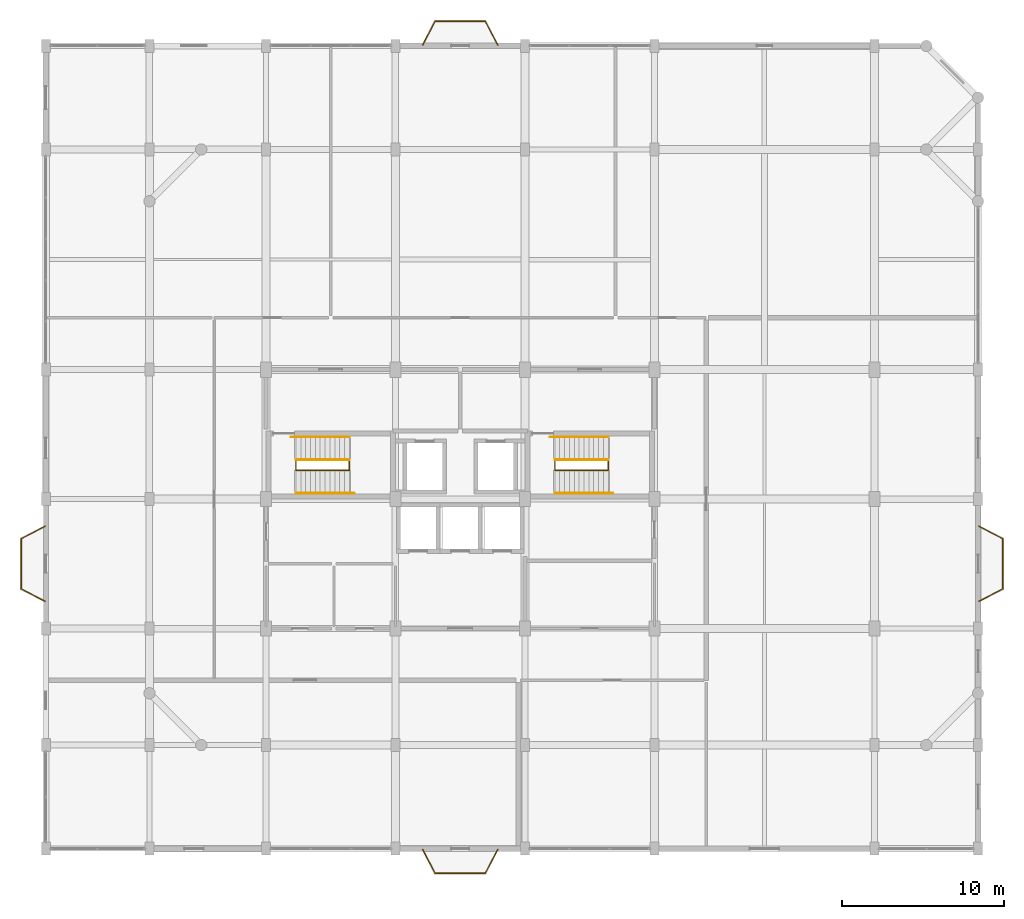
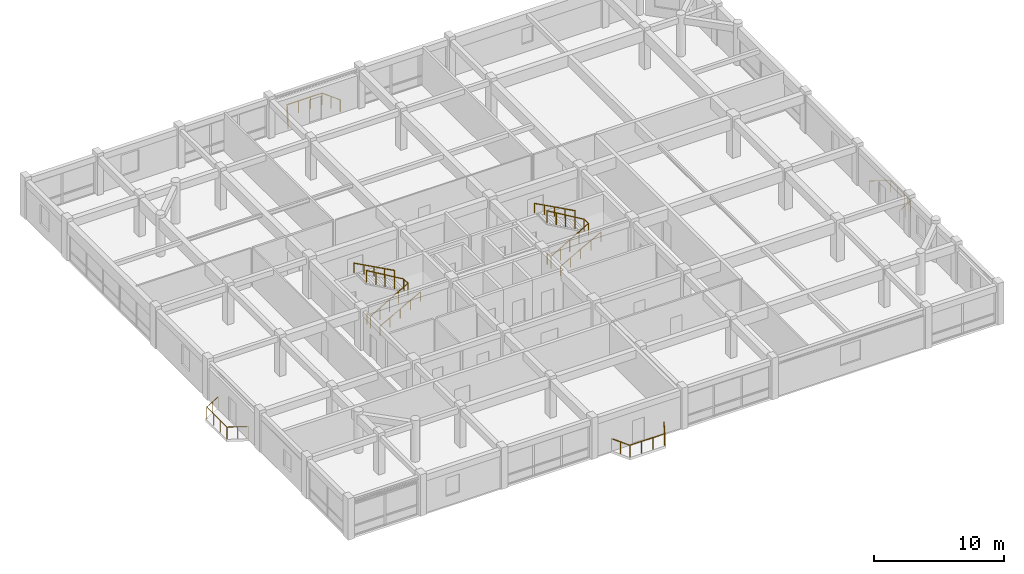
# One storey, part 15 of 15: 12 railings.
"""IFC4 building model written with IfcOpenShell, lengths in metres."""

from ifc_helpers import new_model, si_unit, direction, frame, origin, origin_2d, place, context, subcontext, project, spatial, circle, extrude, material, type_object, element, save


model = new_model("IFC4")

# Units and contexts
model_context = context("Model", 3, precision=1e-05, world=origin(), true_north=direction((0.0, 1.0)))
body_context = subcontext(model_context, "Body", "Model", "MODEL_VIEW")
ifc_project = project(units=[si_unit("LENGTHUNIT", "METRE"), si_unit("AREAUNIT", "SQUARE_METRE"), si_unit("VOLUMEUNIT", "CUBIC_METRE"), si_unit("PLANEANGLEUNIT", "RADIAN"), si_unit("MASSUNIT", "GRAM", prefix="KILO")], contexts=[model_context])

# Site, building, storey
site_placement = place(None, origin())
site = spatial("IfcSite", under=ifc_project, at=site_placement, CompositionType="ELEMENT")
building_placement = place(site_placement, origin())
building = spatial("IfcBuilding", under=site, at=building_placement, Name="Vellmiral Cinema and Media Centre", CompositionType="ELEMENT")
storey_placement = place(building_placement, frame((0.0, 0.0, 35.60009765625)))
storey = spatial("IfcBuildingStorey", under=building, at=storey_placement, Name="L08", CompositionType="ELEMENT", Elevation=35.60009765625)

# Railings
ifc_material_1 = material(Name="Forged Wrought-Iron Mirador Guardrail", Category="steel")
railing_type_1 = type_object("IfcRailingType", Name="RL-BAL-MIRA-1120", PredefinedType="BALUSTRADE", material=ifc_material_1)
railing_1_placement = place(storey_placement, frame((168.050048828125, 80.8798828125, 0.0)))
element("IfcRailing", 1, at=railing_1_placement, inside=storey, type_object=railing_type_1, Name="Mirador Balcony Guardrail L08-E", PredefinedType="BALUSTRADE", context=body_context, shape_type="SweptSolid", body=[
    extrude(circle(Radius=0.02392578125, at=origin_2d()), frame((0.0, 0.0, 1.09619140625), z_axis=(0.885822896277, 0.464023486939, 0.0), x_axis=(-0.464023486939, 0.885822896277, 0.0)), (0.0, 0.0, 1.0), 1.659423828125),
    extrude(circle(Radius=0.02392578125, at=origin_2d()), frame((1.469970703125, 0.77001953125, 1.09619140625), z_axis=(0.0, 1.0, 0.0), x_axis=(-1.0, 0.0, 0.0)), (0.0, 0.0, 1.0), 3.10009765625),
    extrude(circle(Radius=0.02392578125, at=origin_2d()), frame((1.469970703125, 3.8701171875, 1.09619140625), z_axis=(-0.885822896277, 0.464023486939, 0.0), x_axis=(-0.464023486939, -0.885822896277, 0.0)), (0.0, 0.0, 1.0), 1.659423828125),
    extrude(circle(Radius=0.02099609375, at=origin_2d()), origin(), (0.0, 0.0, 1.0), 1.072021484375),
    extrude(circle(Radius=0.02099609375, at=origin_2d()), frame((0.73486328125, 0.385009765625, 0.0)), (0.0, 0.0, 1.0), 1.072021484375),
    extrude(circle(Radius=0.02099609375, at=origin_2d()), frame((1.469970703125, 0.77001953125, 0.0)), (0.0, 0.0, 1.0), 1.072021484375),
    extrude(circle(Radius=0.02099609375, at=origin_2d()), frame((1.469970703125, 1.803466796875, 0.0)), (0.0, 0.0, 1.0), 1.072021484375),
    extrude(circle(Radius=0.02099609375, at=origin_2d()), frame((1.469970703125, 2.836669921875, 0.0)), (0.0, 0.0, 1.0), 1.072021484375),
    extrude(circle(Radius=0.02099609375, at=origin_2d()), frame((1.469970703125, 3.8701171875, 0.0)), (0.0, 0.0, 1.0), 1.072021484375),
    extrude(circle(Radius=0.02099609375, at=origin_2d()), frame((0.73486328125, 4.255126953125, 0.0)), (0.0, 0.0, 1.0), 1.072021484375),
    extrude(circle(Radius=0.02099609375, at=origin_2d()), frame((0.0, 4.64013671875, 0.0)), (0.0, 0.0, 1.0), 1.072021484375),
])
railing_2_placement = place(storey_placement, frame((138.320068359375, 115.25, 0.0)))
element("IfcRailing", 2, at=railing_2_placement, inside=storey, type_object=railing_type_1, Name="Mirador Balcony Guardrail L08-N", PredefinedType="BALUSTRADE", context=body_context, shape_type="SweptSolid", body=[
    extrude(circle(Radius=0.02392578125, at=origin_2d()), frame((0.0, 0.0, 1.09619140625), z_axis=(-0.464023486939, 0.885822896277, 0.0), x_axis=(-0.885822896277, -0.464023486939, 0.0)), (0.0, 0.0, 1.0), 1.659423828125),
    extrude(circle(Radius=0.02392578125, at=origin_2d()), frame((-0.77001953125, 1.469970703125, 1.09619140625), z_axis=(-1.0, 0.0, 0.0), x_axis=(0.0, -1.0, 0.0)), (0.0, 0.0, 1.0), 3.10009765625),
    extrude(circle(Radius=0.02392578125, at=origin_2d()), frame((-3.8701171875, 1.469970703125, 1.09619140625), z_axis=(-0.464023486939, -0.885822896277, 0.0), x_axis=(0.885822896277, -0.464023486939, 0.0)), (0.0, 0.0, 1.0), 1.659423828125),
    extrude(circle(Radius=0.02099609375, at=origin_2d()), origin(), (0.0, 0.0, 1.0), 1.072021484375),
    extrude(circle(Radius=0.02099609375, at=origin_2d()), frame((-0.385009765625, 0.73486328125, 0.0)), (0.0, 0.0, 1.0), 1.072021484375),
    extrude(circle(Radius=0.02099609375, at=origin_2d()), frame((-0.77001953125, 1.469970703125, 0.0)), (0.0, 0.0, 1.0), 1.072021484375),
    extrude(circle(Radius=0.02099609375, at=origin_2d()), frame((-1.803466796875, 1.469970703125, 0.0)), (0.0, 0.0, 1.0), 1.072021484375),
    extrude(circle(Radius=0.02099609375, at=origin_2d()), frame((-2.836669921875, 1.469970703125, 0.0)), (0.0, 0.0, 1.0), 1.072021484375),
    extrude(circle(Radius=0.02099609375, at=origin_2d()), frame((-3.8701171875, 1.469970703125, 0.0)), (0.0, 0.0, 1.0), 1.072021484375),
    extrude(circle(Radius=0.02099609375, at=origin_2d()), frame((-4.255126953125, 0.73486328125, 0.0)), (0.0, 0.0, 1.0), 1.072021484375),
    extrude(circle(Radius=0.02099609375, at=origin_2d()), frame((-4.64013671875, 0.0, 0.0)), (0.0, 0.0, 1.0), 1.072021484375),
])
railing_3_placement = place(storey_placement, frame((110.35009765625, 85.52001953125, 0.0)))
element("IfcRailing", 3, at=railing_3_placement, inside=storey, type_object=railing_type_1, Name="Mirador Balcony Guardrail L08-W", PredefinedType="BALUSTRADE", context=body_context, shape_type="SweptSolid", body=[
    extrude(circle(Radius=0.02392578125, at=origin_2d()), frame((0.0, 0.0, 1.09619140625), z_axis=(-0.885854568118, -0.463963020233, 0.0), x_axis=(0.463963020233, -0.885854568118, 0.0)), (0.0, 0.0, 1.0), 1.65966796875),
    extrude(circle(Radius=0.02392578125, at=origin_2d()), frame((-1.47021484375, -0.77001953125, 1.09619140625), z_axis=(0.0, -1.0, 0.0), x_axis=(1.0, 0.0, 0.0)), (0.0, 0.0, 1.0), 3.10009765625),
    extrude(circle(Radius=0.02392578125, at=origin_2d()), frame((-1.47021484375, -3.8701171875, 1.09619140625), z_axis=(0.885854568118, -0.463963020233, 0.0), x_axis=(0.463963020233, 0.885854568118, 0.0)), (0.0, 0.0, 1.0), 1.65966796875),
    extrude(circle(Radius=0.02099609375, at=origin_2d()), origin(), (0.0, 0.0, 1.0), 1.072021484375),
    extrude(circle(Radius=0.02099609375, at=origin_2d()), frame((-0.735107421875, -0.385009765625, 0.0)), (0.0, 0.0, 1.0), 1.072021484375),
    extrude(circle(Radius=0.02099609375, at=origin_2d()), frame((-1.47021484375, -0.77001953125, 0.0)), (0.0, 0.0, 1.0), 1.072021484375),
    extrude(circle(Radius=0.02099609375, at=origin_2d()), frame((-1.47021484375, -1.803466796875, 0.0)), (0.0, 0.0, 1.0), 1.072021484375),
    extrude(circle(Radius=0.02099609375, at=origin_2d()), frame((-1.47021484375, -2.836669921875, 0.0)), (0.0, 0.0, 1.0), 1.072021484375),
    extrude(circle(Radius=0.02099609375, at=origin_2d()), frame((-1.47021484375, -3.8701171875, 0.0)), (0.0, 0.0, 1.0), 1.072021484375),
    extrude(circle(Radius=0.02099609375, at=origin_2d()), frame((-0.735107421875, -4.255126953125, 0.0)), (0.0, 0.0, 1.0), 1.072021484375),
    extrude(circle(Radius=0.02099609375, at=origin_2d()), frame((0.0, -4.64013671875, 0.0)), (0.0, 0.0, 1.0), 1.072021484375),
])
railing_4_placement = place(storey_placement, frame((133.679931640625, 65.550048828125, 0.0)))
element("IfcRailing", 4, at=railing_4_placement, inside=storey, type_object=railing_type_1, Name="Mirador Balcony Guardrail L08-S", PredefinedType="BALUSTRADE", context=body_context, shape_type="SweptSolid", body=[
    extrude(circle(Radius=0.02392578125, at=origin_2d()), frame((0.0, 0.0, 1.09619140625), z_axis=(0.464023486939, -0.885822896277, 0.0), x_axis=(0.885822896277, 0.464023486939, 0.0)), (0.0, 0.0, 1.0), 1.659423828125),
    extrude(circle(Radius=0.02392578125, at=origin_2d()), frame((0.77001953125, -1.469970703125, 1.09619140625), z_axis=(1.0, 0.0, 0.0), x_axis=(0.0, 1.0, 0.0)), (0.0, 0.0, 1.0), 3.10009765625),
    extrude(circle(Radius=0.02392578125, at=origin_2d()), frame((3.8701171875, -1.469970703125, 1.09619140625), z_axis=(0.464023486939, 0.885822896277, 0.0), x_axis=(-0.885822896277, 0.464023486939, 0.0)), (0.0, 0.0, 1.0), 1.659423828125),
    extrude(circle(Radius=0.02099609375, at=origin_2d()), origin(), (0.0, 0.0, 1.0), 1.072021484375),
    extrude(circle(Radius=0.02099609375, at=origin_2d()), frame((0.385009765625, -0.73486328125, 0.0)), (0.0, 0.0, 1.0), 1.072021484375),
    extrude(circle(Radius=0.02099609375, at=origin_2d()), frame((0.77001953125, -1.469970703125, 0.0)), (0.0, 0.0, 1.0), 1.072021484375),
    extrude(circle(Radius=0.02099609375, at=origin_2d()), frame((1.803466796875, -1.469970703125, 0.0)), (0.0, 0.0, 1.0), 1.072021484375),
    extrude(circle(Radius=0.02099609375, at=origin_2d()), frame((2.836669921875, -1.469970703125, 0.0)), (0.0, 0.0, 1.0), 1.072021484375),
    extrude(circle(Radius=0.02099609375, at=origin_2d()), frame((3.8701171875, -1.469970703125, 0.0)), (0.0, 0.0, 1.0), 1.072021484375),
    extrude(circle(Radius=0.02099609375, at=origin_2d()), frame((4.255126953125, -0.73486328125, 0.0)), (0.0, 0.0, 1.0), 1.072021484375),
    extrude(circle(Radius=0.02099609375, at=origin_2d()), frame((4.64013671875, 0.0, 0.0)), (0.0, 0.0, 1.0), 1.072021484375),
])
ifc_material_2 = material(Name="Brushed Stainless Steel Handrail", Category="steel")
railing_type_2 = type_object("IfcRailingType", Name="RL-HANDRAIL-900", PredefinedType="HANDRAIL", material=ifc_material_2)
railing_5_placement = place(storey_placement, frame((125.85009765625, 87.56005859375, 0.162353515625)))
element("IfcRailing", 5, at=railing_5_placement, inside=storey, type_object=railing_type_2, Name="Stair Wall Handrail ST-T1 L08-1", PredefinedType="HANDRAIL", context=body_context, shape_type="SweptSolid", body=[
    extrude(circle(Radius=0.02392578125, at=origin_2d()), frame((0.0, 0.0, 0.8759765625), z_axis=(0.879288844789, 0.0, 0.476288911721), x_axis=(0.0, 1.0, 0.0)), (0.0, 0.0, 1.0), 4.093994140625),
    extrude(circle(Radius=0.02099609375, at=origin_2d()), origin(), (0.0, 0.0, 1.0), 0.851806640625),
    extrude(circle(Radius=0.02099609375, at=origin_2d()), frame((0.89990234375, 0.0, 0.487548828125)), (0.0, 0.0, 1.0), 0.851806640625),
    extrude(circle(Radius=0.02099609375, at=origin_2d()), frame((1.7998046875, 0.0, 0.97509765625)), (0.0, 0.0, 1.0), 0.851806640625),
    extrude(circle(Radius=0.02099609375, at=origin_2d()), frame((2.699951171875, 0.0, 1.46240234375)), (0.0, 0.0, 1.0), 0.851806640625),
    extrude(circle(Radius=0.02099609375, at=origin_2d()), frame((3.599853515625, 0.0, 1.949951171875)), (0.0, 0.0, 1.0), 0.851806640625),
])
railing_6_placement = place(storey_placement, frame((129.14990234375, 91.0400390625, 2.1123046875)))
element("IfcRailing", 6, at=railing_6_placement, inside=storey, type_object=railing_type_2, Name="Stair Wall Handrail ST-T1 L08-2", PredefinedType="HANDRAIL", context=body_context, shape_type="SweptSolid", body=[
    extrude(circle(Radius=0.02392578125, at=origin_2d()), frame((0.0, 0.0, 0.8759765625), z_axis=(-0.879263870249, 0.0, 0.476335014958), x_axis=(0.0, -1.0, 0.0)), (0.0, 0.0, 1.0), 4.09423828125),
    extrude(circle(Radius=0.02099609375, at=origin_2d()), origin(), (0.0, 0.0, 1.0), 0.851806640625),
    extrude(circle(Radius=0.02099609375, at=origin_2d()), frame((-0.89990234375, 0.0, 0.487548828125)), (0.0, 0.0, 1.0), 0.851806640625),
    extrude(circle(Radius=0.02099609375, at=origin_2d()), frame((-1.7998046875, 0.0, 0.97509765625)), (0.0, 0.0, 1.0), 0.851806640625),
    extrude(circle(Radius=0.02099609375, at=origin_2d()), frame((-2.699951171875, 0.0, 1.462646484375)), (0.0, 0.0, 1.0), 0.851806640625),
    extrude(circle(Radius=0.02099609375, at=origin_2d()), frame((-3.599853515625, 0.0, 1.9501953125)), (0.0, 0.0, 1.0), 0.851806640625),
])
railing_7_placement = place(storey_placement, frame((141.85009765625, 87.56005859375, 0.162353515625)))
element("IfcRailing", 7, at=railing_7_placement, inside=storey, type_object=railing_type_2, Name="Stair Wall Handrail ST-T2 L08-1", PredefinedType="HANDRAIL", context=body_context, shape_type="SweptSolid", body=[
    extrude(circle(Radius=0.02392578125, at=origin_2d()), frame((0.0, 0.0, 0.8759765625), z_axis=(0.879288844789, 0.0, 0.476288911721), x_axis=(0.0, 1.0, 0.0)), (0.0, 0.0, 1.0), 4.093994140625),
    extrude(circle(Radius=0.02099609375, at=origin_2d()), origin(), (0.0, 0.0, 1.0), 0.851806640625),
    extrude(circle(Radius=0.02099609375, at=origin_2d()), frame((0.89990234375, 0.0, 0.487548828125)), (0.0, 0.0, 1.0), 0.851806640625),
    extrude(circle(Radius=0.02099609375, at=origin_2d()), frame((1.7998046875, 0.0, 0.97509765625)), (0.0, 0.0, 1.0), 0.851806640625),
    extrude(circle(Radius=0.02099609375, at=origin_2d()), frame((2.699951171875, 0.0, 1.46240234375)), (0.0, 0.0, 1.0), 0.851806640625),
    extrude(circle(Radius=0.02099609375, at=origin_2d()), frame((3.599853515625, 0.0, 1.949951171875)), (0.0, 0.0, 1.0), 0.851806640625),
])
railing_8_placement = place(storey_placement, frame((145.14990234375, 91.0400390625, 2.1123046875)))
element("IfcRailing", 8, at=railing_8_placement, inside=storey, type_object=railing_type_2, Name="Stair Wall Handrail ST-T2 L08-2", PredefinedType="HANDRAIL", context=body_context, shape_type="SweptSolid", body=[
    extrude(circle(Radius=0.02392578125, at=origin_2d()), frame((0.0, 0.0, 0.8759765625), z_axis=(-0.879263870249, 0.0, 0.476335014958), x_axis=(0.0, -1.0, 0.0)), (0.0, 0.0, 1.0), 4.09423828125),
    extrude(circle(Radius=0.02099609375, at=origin_2d()), origin(), (0.0, 0.0, 1.0), 0.851806640625),
    extrude(circle(Radius=0.02099609375, at=origin_2d()), frame((-0.89990234375, 0.0, 0.487548828125)), (0.0, 0.0, 1.0), 0.851806640625),
    extrude(circle(Radius=0.02099609375, at=origin_2d()), frame((-1.7998046875, 0.0, 0.97509765625)), (0.0, 0.0, 1.0), 0.851806640625),
    extrude(circle(Radius=0.02099609375, at=origin_2d()), frame((-2.699951171875, 0.0, 1.462646484375)), (0.0, 0.0, 1.0), 0.851806640625),
    extrude(circle(Radius=0.02099609375, at=origin_2d()), frame((-3.599853515625, 0.0, 1.9501953125)), (0.0, 0.0, 1.0), 0.851806640625),
])
ifc_material_3 = material(Name="Painted Steel Stair Guardrail", Category="steel")
railing_type_3 = type_object("IfcRailingType", Name="RL-STAIR-GUARD-1120", PredefinedType="GUARDRAIL", material=ifc_material_3)
railing_9_placement = place(storey_placement, frame((125.85009765625, 89.580078125, 0.0)))
element("IfcRailing", 9, at=railing_9_placement, inside=storey, type_object=railing_type_3, Name="Stair Well Guard ST-T1 L08-A", PredefinedType="GUARDRAIL", context=body_context, shape_type="SweptSolid", body=[
    extrude(circle(Radius=0.02392578125, at=origin_2d()), frame((0.0, 0.0, 1.09619140625), z_axis=(0.0, -1.0, 0.0), x_axis=(1.0, 0.0, 0.0)), (0.0, 0.0, 1.0), 0.60009765625),
    extrude(circle(Radius=0.02392578125, at=origin_2d()), frame((0.0, -0.60009765625, 1.09619140625), z_axis=(0.86091891968, 0.0, 0.508742187887), x_axis=(0.0, 1.0, 0.0)), (0.0, 0.0, 1.0), 3.8330078125),
    extrude(circle(Radius=0.02392578125, at=origin_2d()), frame((3.2998046875, -0.60009765625, 3.0458984375), z_axis=(0.0, 1.0, 0.0), x_axis=(-1.0, 0.0, 0.0)), (0.0, 0.0, 1.0), 0.64013671875),
    extrude(circle(Radius=0.02099609375, at=origin_2d()), origin(), (0.0, 0.0, 1.0), 1.072021484375),
    extrude(circle(Radius=0.02099609375, at=origin_2d()), frame((0.0, -0.60009765625, 0.0)), (0.0, 0.0, 1.0), 1.072021484375),
    extrude(circle(Radius=0.02099609375, at=origin_2d()), frame((0.824951171875, -0.60009765625, 0.487548828125)), (0.0, 0.0, 1.0), 1.072021484375),
    extrude(circle(Radius=0.02099609375, at=origin_2d()), frame((1.64990234375, -0.60009765625, 0.97509765625)), (0.0, 0.0, 1.0), 1.072021484375),
    extrude(circle(Radius=0.02099609375, at=origin_2d()), frame((2.474853515625, -0.60009765625, 1.46240234375)), (0.0, 0.0, 1.0), 1.072021484375),
    extrude(circle(Radius=0.02099609375, at=origin_2d()), frame((3.2998046875, -0.60009765625, 1.949951171875)), (0.0, 0.0, 1.0), 1.072021484375),
    extrude(circle(Radius=0.02099609375, at=origin_2d()), frame((3.2998046875, 0.0400390625, 1.949951171875)), (0.0, 0.0, 1.0), 1.072021484375),
])
railing_10_placement = place(storey_placement, frame((129.14990234375, 89.6201171875, 1.949951171875)))
element("IfcRailing", 10, at=railing_10_placement, inside=storey, type_object=railing_type_3, Name="Stair Well Guard ST-T1 L08-B", PredefinedType="GUARDRAIL", context=body_context, shape_type="SweptSolid", body=[
    extrude(circle(Radius=0.02392578125, at=origin_2d()), frame((0.0, 0.0, 1.09619140625), z_axis=(-0.86091891968, 0.0, 0.508742187887), x_axis=(0.0, -1.0, 0.0)), (0.0, 0.0, 1.0), 3.8330078125),
    extrude(circle(Radius=0.02099609375, at=origin_2d()), origin(), (0.0, 0.0, 1.0), 1.072021484375),
    extrude(circle(Radius=0.02099609375, at=origin_2d()), frame((-0.824951171875, 0.0, 0.487548828125)), (0.0, 0.0, 1.0), 1.072021484375),
    extrude(circle(Radius=0.02099609375, at=origin_2d()), frame((-1.64990234375, 0.0, 0.97509765625)), (0.0, 0.0, 1.0), 1.072021484375),
    extrude(circle(Radius=0.02099609375, at=origin_2d()), frame((-2.474853515625, 0.0, 1.46240234375)), (0.0, 0.0, 1.0), 1.072021484375),
    extrude(circle(Radius=0.02099609375, at=origin_2d()), frame((-3.2998046875, 0.0, 1.949951171875)), (0.0, 0.0, 1.0), 1.072021484375),
])
railing_11_placement = place(storey_placement, frame((141.85009765625, 89.580078125, 0.0)))
element("IfcRailing", 11, at=railing_11_placement, inside=storey, type_object=railing_type_3, Name="Stair Well Guard ST-T2 L08-A", PredefinedType="GUARDRAIL", context=body_context, shape_type="SweptSolid", body=[
    extrude(circle(Radius=0.02392578125, at=origin_2d()), frame((0.0, 0.0, 1.09619140625), z_axis=(0.0, -1.0, 0.0), x_axis=(1.0, 0.0, 0.0)), (0.0, 0.0, 1.0), 0.60009765625),
    extrude(circle(Radius=0.02392578125, at=origin_2d()), frame((0.0, -0.60009765625, 1.09619140625), z_axis=(0.86091891968, 0.0, 0.508742187887), x_axis=(0.0, 1.0, 0.0)), (0.0, 0.0, 1.0), 3.8330078125),
    extrude(circle(Radius=0.02392578125, at=origin_2d()), frame((3.2998046875, -0.60009765625, 3.0458984375), z_axis=(0.0, 1.0, 0.0), x_axis=(-1.0, 0.0, 0.0)), (0.0, 0.0, 1.0), 0.64013671875),
    extrude(circle(Radius=0.02099609375, at=origin_2d()), origin(), (0.0, 0.0, 1.0), 1.072021484375),
    extrude(circle(Radius=0.02099609375, at=origin_2d()), frame((0.0, -0.60009765625, 0.0)), (0.0, 0.0, 1.0), 1.072021484375),
    extrude(circle(Radius=0.02099609375, at=origin_2d()), frame((0.824951171875, -0.60009765625, 0.487548828125)), (0.0, 0.0, 1.0), 1.072021484375),
    extrude(circle(Radius=0.02099609375, at=origin_2d()), frame((1.64990234375, -0.60009765625, 0.97509765625)), (0.0, 0.0, 1.0), 1.072021484375),
    extrude(circle(Radius=0.02099609375, at=origin_2d()), frame((2.474853515625, -0.60009765625, 1.46240234375)), (0.0, 0.0, 1.0), 1.072021484375),
    extrude(circle(Radius=0.02099609375, at=origin_2d()), frame((3.2998046875, -0.60009765625, 1.949951171875)), (0.0, 0.0, 1.0), 1.072021484375),
    extrude(circle(Radius=0.02099609375, at=origin_2d()), frame((3.2998046875, 0.0400390625, 1.949951171875)), (0.0, 0.0, 1.0), 1.072021484375),
])
railing_12_placement = place(storey_placement, frame((145.14990234375, 89.6201171875, 1.949951171875)))
element("IfcRailing", 12, at=railing_12_placement, inside=storey, type_object=railing_type_3, Name="Stair Well Guard ST-T2 L08-B", PredefinedType="GUARDRAIL", context=body_context, shape_type="SweptSolid", body=[
    extrude(circle(Radius=0.02392578125, at=origin_2d()), frame((0.0, 0.0, 1.09619140625), z_axis=(-0.86091891968, 0.0, 0.508742187887), x_axis=(0.0, -1.0, 0.0)), (0.0, 0.0, 1.0), 3.8330078125),
    extrude(circle(Radius=0.02099609375, at=origin_2d()), origin(), (0.0, 0.0, 1.0), 1.072021484375),
    extrude(circle(Radius=0.02099609375, at=origin_2d()), frame((-0.824951171875, 0.0, 0.487548828125)), (0.0, 0.0, 1.0), 1.072021484375),
    extrude(circle(Radius=0.02099609375, at=origin_2d()), frame((-1.64990234375, 0.0, 0.97509765625)), (0.0, 0.0, 1.0), 1.072021484375),
    extrude(circle(Radius=0.02099609375, at=origin_2d()), frame((-2.474853515625, 0.0, 1.46240234375)), (0.0, 0.0, 1.0), 1.072021484375),
    extrude(circle(Radius=0.02099609375, at=origin_2d()), frame((-3.2998046875, 0.0, 1.949951171875)), (0.0, 0.0, 1.0), 1.072021484375),
])

save(model, "model.ifc")
